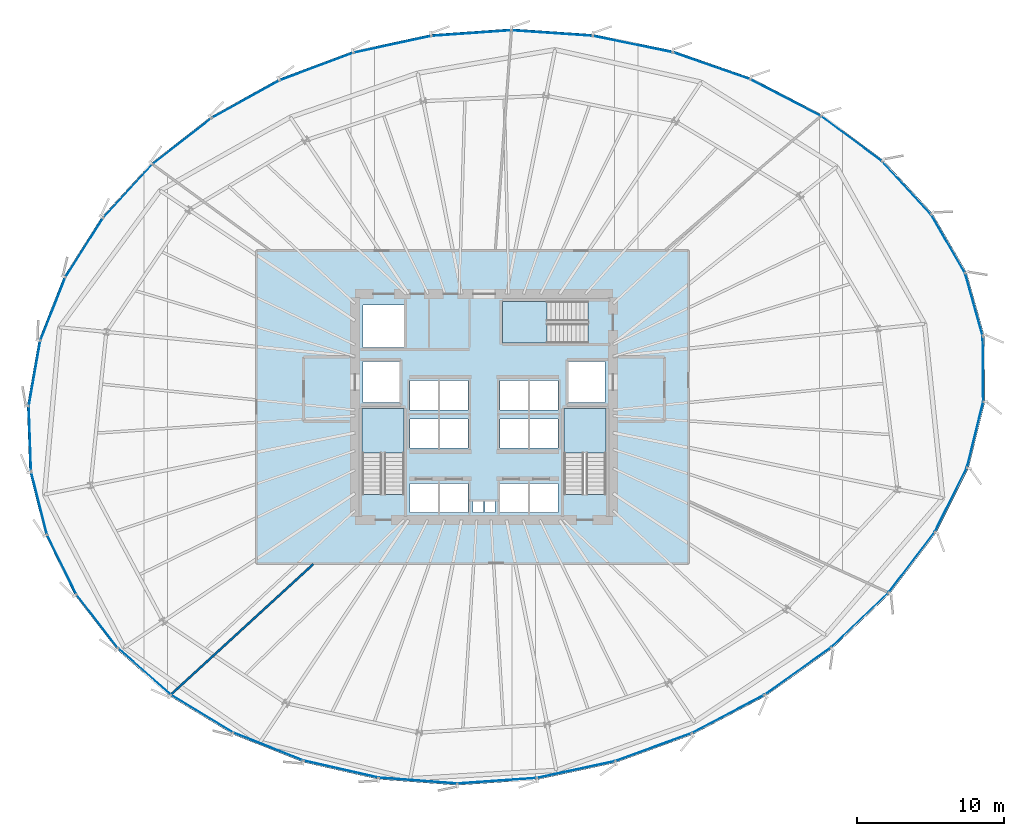
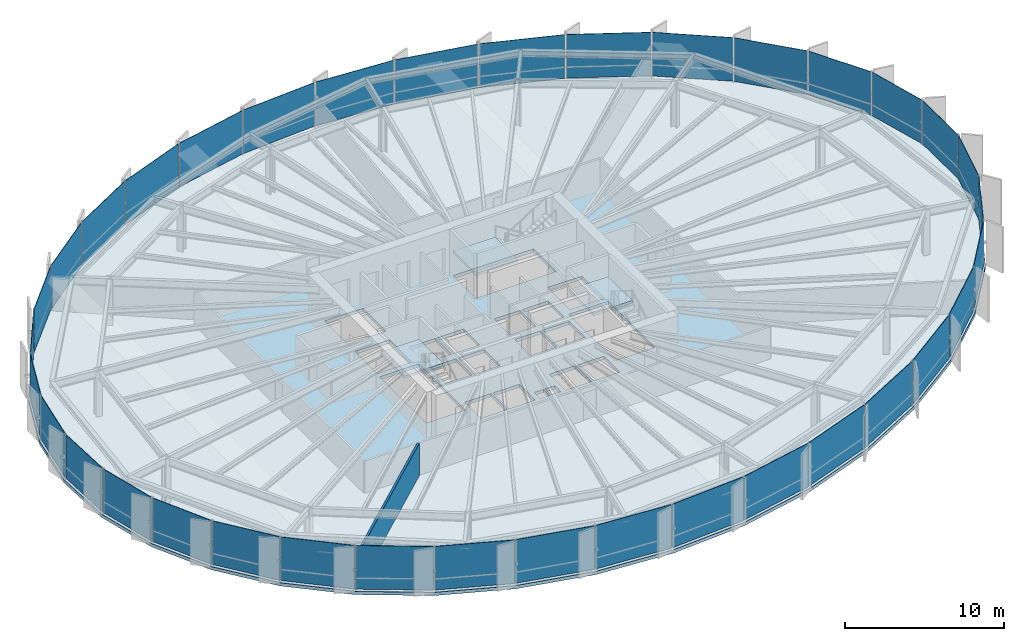
# One storey, part 30 of 38: 36 plates, 4 slabs, 1 wall, 9 elements without a shape of their own.
"""IFC4 building model written with IfcOpenShell, lengths in metres."""

from ifc_helpers import new_model, si_unit, direction, frame, frame_2d, origin, origin_2d, place, context, subcontext, project, spatial, polyline, rectangle, outline, extrude, source, transform, mapped, material, layer, layer_set, type_object, element, aggregate, save


model = new_model("IFC4")

# Units and contexts
model_context = context("Model", 3, precision=1e-05, world=origin(), true_north=direction((0.0, 1.0)))
body_context = subcontext(model_context, "Body", "Model", "MODEL_VIEW")
ifc_project = project(units=[si_unit("LENGTHUNIT", "METRE"), si_unit("AREAUNIT", "SQUARE_METRE"), si_unit("VOLUMEUNIT", "CUBIC_METRE"), si_unit("PLANEANGLEUNIT", "RADIAN"), si_unit("MASSUNIT", "GRAM", prefix="KILO"), si_unit("THERMODYNAMICTEMPERATUREUNIT", "KELVIN")], contexts=[model_context])

# Site, building, storey
site_placement = place(None, origin())
site = spatial("IfcSite", under=ifc_project, at=site_placement, CompositionType="ELEMENT")
building_placement = place(site_placement, origin())
building = spatial("IfcBuilding", under=site, at=building_placement, Name="Kethvar Cultural Tower", CompositionType="ELEMENT")
storey_placement = place(building_placement, frame((0.0, 0.0, 63.800048828125)))
storey = spatial("IfcBuildingStorey", under=building, at=storey_placement, Name="L15", CompositionType="ELEMENT", Elevation=63.800048828125)

# Stair, slab
ifc_material_1 = material(Name="Concrete C40/50", Category="concrete")
stair_type = type_object("IfcStairType", Name="ST-DOGLEG-135", PredefinedType="HALF_TURN_STAIR", material=ifc_material_1)
stair_1_placement = place(storey_placement, origin())
stair_1 = element("IfcStair", 1, at=stair_1_placement, inside=storey, type_object=stair_type, Name="L15 Core Exit Stair 1", PredefinedType="HALF_TURN_STAIR")
ifc_layer_1 = layer(ifc_material_1, 0.199951171875, Name="Concrete C40/50", Category="concrete")
ifc_layer_set_1 = layer_set([ifc_layer_1], Name="Concrete C40/50 (200 mm)")
slab_type_1 = type_object("IfcSlabType", Name="SL-STAIR-LANDING-200", PredefinedType="LANDING", material=ifc_layer_set_1)
slab_1_placement = place(storey_placement, frame((0.0, 0.0, 1.699951171875)))
slab_1 = element("IfcSlab", 2, at=slab_1_placement, type_object=slab_type_1, Name="ST-01 landing 1", PredefinedType="LANDING", context=body_context, shape_type="SweptSolid", body=[
    extrude(outline(polyline([(41.35009765625, 24.64990234375), (41.35009765625, 27.699951171875), (38.489990234375, 27.699951171875), (38.489990234375, 24.64990234375), (41.35009765625, 24.64990234375)])), origin(), (0.0, 0.0, 1.0), 0.199951171875),
])
aggregate(stair_1, [slab_1])

stair_2_placement = place(storey_placement, origin())
stair_2 = element("IfcStair", 3, at=stair_2_placement, inside=storey, type_object=stair_type, Name="L15 Core Exit Stair 2", PredefinedType="HALF_TURN_STAIR")
slab_2_placement = place(storey_placement, frame((0.0, 0.0, 1.699951171875)))
slab_2 = element("IfcSlab", 4, at=slab_2_placement, type_object=slab_type_1, Name="ST-02 landing 1", PredefinedType="LANDING", context=body_context, shape_type="SweptSolid", body=[
    extrude(outline(polyline([(55.110107421875, 24.64990234375), (55.110107421875, 27.699951171875), (52.25, 27.699951171875), (52.25, 24.64990234375), (55.110107421875, 24.64990234375)])), origin(), (0.0, 0.0, 1.0), 0.199951171875),
])
aggregate(stair_2, [slab_2])

stair_3_placement = place(storey_placement, origin())
stair_3 = element("IfcStair", 5, at=stair_3_placement, inside=storey, type_object=stair_type, Name="L15 Core Exit Stair 3", PredefinedType="HALF_TURN_STAIR")
slab_3_placement = place(storey_placement, frame((0.0, 0.0, 1.699951171875)))
slab_3 = element("IfcSlab", 6, at=slab_3_placement, type_object=slab_type_1, Name="ST-03 landing 1", PredefinedType="LANDING", context=body_context, shape_type="SweptSolid", body=[
    extrude(outline(polyline([(51.10009765625, 35.010009765625), (48.050048828125, 35.010009765625), (48.050048828125, 32.14990234375), (51.10009765625, 32.14990234375), (51.10009765625, 35.010009765625)])), origin(), (0.0, 0.0, 1.0), 0.199951171875),
])
aggregate(stair_3, [slab_3])

# Slab
ifc_layer_2 = layer(ifc_material_1, 0.25, Name="Concrete C40/50", Category="concrete")
ifc_layer_set_2 = layer_set([ifc_layer_2], Name="Concrete C40/50 (250 mm)")
slab_type_2 = type_object("IfcSlabType", Name="SL-TOW-250", PredefinedType="FLOOR", material=ifc_layer_set_2)
slab_4_placement = place(storey_placement, frame((0.0, 0.0, -0.25)))
element("IfcSlab", 7, at=slab_4_placement, inside=storey, type_object=slab_type_2, Name="L15 Structural Floor Slab", PredefinedType="FLOOR", context=body_context, shape_type="SweptSolid", body=[
    extrude(outline(polyline([(80.9208984375, 32.656005859375), (79.70458984375, 36.985595703125), (77.364990234375, 41.0185546875), (74.016845703125, 44.638427734375), (69.825927734375, 47.744384765625), (64.989990234375, 50.252197265625), (59.719970703125, 52.094482421875), (54.2177734375, 53.2216796875), (48.66064453125, 53.6005859375), (43.182861328125, 53.21484375), (37.8544921875, 52.0625), (32.797607421875, 50.173095703125), (28.166259765625, 47.603759765625), (24.101318359375, 44.432861328125), (20.725830078125, 40.75634765625), (18.142578125, 36.686279296875), (16.43017578125, 32.34619140625), (15.640380859375, 27.867919921875), (15.797607421875, 23.3876953125), (16.896728515625, 19.04150390625), (18.904296875, 14.96142578125), (21.759765625, 11.271484375), (25.375732421875, 8.08349609375), (29.642822265625, 5.494873046875), (34.431396484375, 3.583984375), (39.595458984375, 2.40869140625), (44.978515625, 2.0048828125), (50.4169921875, 2.385009765625), (55.784912109375, 3.54296875), (61.015625, 5.457275390625), (65.985107421875, 8.07470703125), (70.53173828125, 11.314208984375), (74.475830078125, 15.071533203125), (77.634033203125, 19.223388671875), (79.839111328125, 23.6337890625), (80.9609375, 28.1591796875), (80.9208984375, 32.656005859375)]), holes=[polyline([(38.489990234375, 21.85009765625), (38.489990234375, 27.699951171875), (41.35009765625, 27.699951171875), (41.35009765625, 21.85009765625), (38.489990234375, 21.85009765625)]), polyline([(52.25, 21.85009765625), (52.25, 27.699951171875), (55.110107421875, 27.699951171875), (55.110107421875, 21.85009765625), (52.25, 21.85009765625)]), polyline([(53.89990234375, 32.14990234375), (48.050048828125, 32.14990234375), (48.050048828125, 35.010009765625), (53.89990234375, 35.010009765625), (53.89990234375, 32.14990234375)]), polyline([(41.75, 22.60009765625), (43.64990234375, 22.60009765625), (43.64990234375, 20.60009765625), (41.75, 20.60009765625), (41.75, 22.60009765625)]), polyline([(43.800048828125, 22.60009765625), (45.699951171875, 22.60009765625), (45.699951171875, 20.60009765625), (43.800048828125, 20.60009765625), (43.800048828125, 22.60009765625)]), polyline([(47.89990234375, 22.60009765625), (49.800048828125, 22.60009765625), (49.800048828125, 20.60009765625), (47.89990234375, 20.60009765625), (47.89990234375, 22.60009765625)]), polyline([(49.949951171875, 22.60009765625), (51.85009765625, 22.60009765625), (51.85009765625, 20.60009765625), (49.949951171875, 20.60009765625), (49.949951171875, 22.60009765625)]), polyline([(41.75, 27.0), (43.64990234375, 27.0), (43.64990234375, 25.0), (41.75, 25.0), (41.75, 27.0)]), polyline([(43.800048828125, 27.0), (45.699951171875, 27.0), (45.699951171875, 25.0), (43.800048828125, 25.0), (43.800048828125, 27.0)]), polyline([(47.89990234375, 27.0), (49.800048828125, 27.0), (49.800048828125, 25.0), (47.89990234375, 25.0), (47.89990234375, 27.0)]), polyline([(49.949951171875, 27.0), (51.85009765625, 27.0), (51.85009765625, 25.0), (49.949951171875, 25.0), (49.949951171875, 27.0)]), polyline([(41.75, 29.60009765625), (43.64990234375, 29.60009765625), (43.64990234375, 27.60009765625), (41.75, 27.60009765625), (41.75, 29.60009765625)]), polyline([(43.800048828125, 29.60009765625), (45.699951171875, 29.60009765625), (45.699951171875, 27.60009765625), (43.800048828125, 27.60009765625), (43.800048828125, 29.60009765625)]), polyline([(47.89990234375, 29.60009765625), (49.800048828125, 29.60009765625), (49.800048828125, 27.60009765625), (47.89990234375, 27.60009765625), (47.89990234375, 29.60009765625)]), polyline([(49.949951171875, 29.60009765625), (51.85009765625, 29.60009765625), (51.85009765625, 27.60009765625), (49.949951171875, 27.60009765625), (49.949951171875, 29.60009765625)]), polyline([(38.550048828125, 30.89990234375), (41.050048828125, 30.89990234375), (41.050048828125, 28.10009765625), (38.550048828125, 28.10009765625), (38.550048828125, 30.89990234375)]), polyline([(52.550048828125, 30.89990234375), (55.050048828125, 30.89990234375), (55.050048828125, 28.10009765625), (52.550048828125, 28.10009765625), (52.550048828125, 30.89990234375)]), polyline([(38.550048828125, 34.75), (41.35009765625, 34.75), (41.35009765625, 31.85009765625), (38.550048828125, 31.85009765625), (38.550048828125, 34.75)]), polyline([(46.050048828125, 21.35009765625), (46.75, 21.35009765625), (46.75, 20.60009765625), (46.050048828125, 20.60009765625), (46.050048828125, 21.35009765625)]), polyline([(46.85009765625, 21.35009765625), (47.550048828125, 21.35009765625), (47.550048828125, 20.60009765625), (46.85009765625, 20.60009765625), (46.85009765625, 21.35009765625)])]), origin(), (0.0, 0.0, 1.0), 0.25),
])

# Curtain wall, plate
ifc_material_2 = material(Name="Aluminium 6063-T6", Category="aluminium")
ifc_layer_3 = layer(ifc_material_2, 0.179931640625, Name="Aluminium 6063-T6", Category="aluminium")
ifc_layer_set_3 = layer_set([ifc_layer_3], Name="Aluminium 6063-T6 (180 mm)")
curtain_wall_type = type_object("IfcCurtainWallType", Name="CW-SYS-02-Z1", PredefinedType="NOTDEFINED", material=ifc_layer_set_3)
curtain_wall_1_placement = place(storey_placement, origin())
curtain_wall_1 = element("IfcCurtainWall", 8, at=curtain_wall_1_placement, inside=storey, type_object=curtain_wall_type, Name="L15 Curtain Wall Run 01", PredefinedType="NOTDEFINED")
ifc_material_3 = material(Name="Insulated Low-E Solar Glass", Category="glass")
ifc_layer_4 = layer(ifc_material_3, 0.031982421875, Name="Insulated Low-E Solar Glass", Category="glass")
ifc_layer_set_4 = layer_set([ifc_layer_4], Name="Insulated Low-E Solar Glass (32 mm)")
plate_type = type_object("IfcPlateType", Name="CW-SYS-02-Z1-PNL", PredefinedType="CURTAIN_PANEL", material=ifc_layer_set_4)
shared_shape_1 = source(origin(), body_context, "Body", "SweptSolid", [
    extrude(rectangle(XDim=4.403564453125, YDim=0.031982421875, at=origin_2d()), origin(), (0.0, 0.0, 1.0), 3.35009765625),
])
plate_1_placement = place(storey_placement, frame((80.197265625, 34.788330078125, 0.099853515625), z_axis=(0.0, 0.0, 1.0), x_axis=(-0.270432420449, 0.962738960451, 0.0)))
plate_1 = element("IfcPlate", 9, at=plate_1_placement, type_object=plate_type, Name="CW-L15-R01 Vision Glazing Panel 1", PredefinedType="CURTAIN_PANEL", context=body_context, shape_type="MappedRepresentation", body=[
    mapped(shared_shape_1, transform((0.0, 0.0, 0.0), scale=1.0)),
])

curtain_wall_2_placement = place(storey_placement, origin())
curtain_wall_2 = element("IfcCurtainWall", 10, at=curtain_wall_2_placement, inside=storey, type_object=curtain_wall_type, Name="L15 Curtain Wall Run 06", PredefinedType="NOTDEFINED")
plate_2_placement = place(storey_placement, frame((80.82080078125, 30.406494140625, 0.099853515625), z_axis=(0.0, 0.0, 1.0), x_axis=(-0.008901061644, 0.999960384766, 0.0)))
plate_2 = element("IfcPlate", 11, at=plate_2_placement, type_object=plate_type, Name="CW-L15-R06 Vision Glazing Panel 6", PredefinedType="CURTAIN_PANEL", context=body_context, shape_type="MappedRepresentation", body=[
    mapped(shared_shape_1, transform((0.0, 0.0, 0.0), scale=1.0)),
])

# Plate
shared_shape_2 = source(origin(), body_context, "Body", "SweptSolid", [
    extrude(rectangle(XDim=4.568603515625, YDim=0.031982421875, at=origin_2d()), origin(), (0.0, 0.0, 1.0), 3.35009765625),
])
plate_3_placement = place(storey_placement, frame((78.430908203125, 38.94189453125, 0.099853515625), z_axis=(0.0, 0.0, 1.0), x_axis=(-0.501827798024, 0.864967549178, 0.0)))
plate_3 = element("IfcPlate", 12, at=plate_3_placement, type_object=plate_type, Name="CW-L15-R01 Vision Glazing Panel 2", PredefinedType="CURTAIN_PANEL", context=body_context, shape_type="MappedRepresentation", body=[
    mapped(shared_shape_2, transform((0.0, 0.0, 0.0), scale=1.0)),
])

shared_shape_3 = source(origin(), body_context, "Body", "SweptSolid", [
    extrude(rectangle(XDim=4.837158203125, YDim=0.031982421875, at=origin_2d()), origin(), (0.0, 0.0, 1.0), 3.35009765625),
])
plate_4_placement = place(storey_placement, frame((75.602783203125, 42.7470703125, 0.099853515625), z_axis=(0.0, 0.0, 1.0), x_axis=(-0.679005780592, 0.734132923879, 0.0)))
plate_4 = element("IfcPlate", 13, at=plate_4_placement, type_object=plate_type, Name="CW-L15-R01 Vision Glazing Panel 3", PredefinedType="CURTAIN_PANEL", context=body_context, shape_type="MappedRepresentation", body=[
    mapped(shared_shape_3, transform((0.0, 0.0, 0.0), scale=1.0)),
])

plate_5_placement = place(storey_placement, frame((78.629150390625, 21.482421875, 0.099853515625), z_axis=(0.0, 0.0, 1.0), x_axis=(0.447228407228, 0.894419784983, 0.0)))
plate_5 = element("IfcPlate", 14, at=plate_5_placement, type_object=plate_type, Name="CW-L15-R06 Vision Glazing Panel 4", PredefinedType="CURTAIN_PANEL", context=body_context, shape_type="MappedRepresentation", body=[
    mapped(shared_shape_3, transform((0.0, 0.0, 0.0), scale=1.0)),
])

shared_shape_4 = source(origin(), body_context, "Body", "SweptSolid", [
    extrude(rectangle(XDim=5.122802734375, YDim=0.031982421875, at=origin_2d()), origin(), (0.0, 0.0, 1.0), 3.35009765625),
])
plate_6_placement = place(storey_placement, frame((71.849853515625, 46.094970703125, 0.099853515625), z_axis=(0.0, 0.0, 1.0), x_axis=(-0.803410224786, 0.595425906986, 0.0)))
plate_6 = element("IfcPlate", 15, at=plate_6_placement, type_object=plate_type, Name="CW-L15-R01 Vision Glazing Panel 4", PredefinedType="CURTAIN_PANEL", context=body_context, shape_type="MappedRepresentation", body=[
    mapped(shared_shape_4, transform((0.0, 0.0, 0.0), scale=1.0)),
])

plate_7_placement = place(storey_placement, frame((75.95947265625, 17.22021484375, 0.099853515625), z_axis=(0.0, 0.0, 1.0), x_axis=(0.605405124989, 0.795917479791, 0.0)))
plate_7 = element("IfcPlate", 16, at=plate_7_placement, type_object=plate_type, Name="CW-L15-R06 Vision Glazing Panel 3", PredefinedType="CURTAIN_PANEL", context=body_context, shape_type="MappedRepresentation", body=[
    mapped(shared_shape_4, transform((0.0, 0.0, 0.0), scale=1.0)),
])

shared_shape_5 = source(origin(), body_context, "Body", "SweptSolid", [
    extrude(rectangle(XDim=5.353759765625, YDim=0.031982421875, at=origin_2d()), origin(), (0.0, 0.0, 1.0), 3.35009765625),
])
plate_8_placement = place(storey_placement, frame((67.352783203125, 48.891845703125, 0.099853515625), z_axis=(0.0, 0.0, 1.0), x_axis=(-0.887727016759, 0.460370224619, 0.0)))
plate_8 = element("IfcPlate", 17, at=plate_8_placement, type_object=plate_type, Name="CW-L15-R01 Vision Glazing Panel 5", PredefinedType="CURTAIN_PANEL", context=body_context, shape_type="MappedRepresentation", body=[
    mapped(shared_shape_5, transform((0.0, 0.0, 0.0), scale=1.0)),
])

plate_9_placement = place(storey_placement, frame((72.421142578125, 13.27978515625, 0.099853515625), z_axis=(0.0, 0.0, 1.0), x_axis=(0.724039450644, 0.689758562042, 0.0)))
plate_9 = element("IfcPlate", 18, at=plate_9_placement, type_object=plate_type, Name="CW-L15-R06 Vision Glazing Panel 2", PredefinedType="CURTAIN_PANEL", context=body_context, shape_type="MappedRepresentation", body=[
    mapped(shared_shape_5, transform((0.0, 0.0, 0.0), scale=1.0)),
])

shared_shape_6 = source(origin(), body_context, "Body", "SweptSolid", [
    extrude(rectangle(XDim=5.4892578125, YDim=0.031982421875, at=origin_2d()), origin(), (0.0, 0.0, 1.0), 3.35009765625),
])
plate_10_placement = place(storey_placement, frame((62.3154296875, 51.060302734375, 0.099853515625), z_axis=(0.0, 0.0, 1.0), x_axis=(-0.943979638927, 0.330003698904, 0.0)))
plate_10 = element("IfcPlate", 19, at=plate_10_placement, type_object=plate_type, Name="CW-L15-R01 Vision Glazing Panel 6", PredefinedType="CURTAIN_PANEL", context=body_context, shape_type="MappedRepresentation", body=[
    mapped(shared_shape_6, transform((0.0, 0.0, 0.0), scale=1.0)),
])

aggregate(curtain_wall_1, [plate_1, plate_3, plate_4, plate_6, plate_8, plate_10])

plate_11_placement = place(storey_placement, frame((68.188720703125, 9.7919921875, 0.099853515625), z_axis=(0.0, 0.0, 1.0), x_axis=(0.814419462102, 0.58027660624, 0.0)))
plate_11 = element("IfcPlate", 20, at=plate_11_placement, type_object=plate_type, Name="CW-L15-R06 Vision Glazing Panel 1", PredefinedType="CURTAIN_PANEL", context=body_context, shape_type="MappedRepresentation", body=[
    mapped(shared_shape_6, transform((0.0, 0.0, 0.0), scale=1.0)),
])

# Curtain wall, plates
curtain_wall_3_placement = place(storey_placement, origin())
curtain_wall_3 = element("IfcCurtainWall", 21, at=curtain_wall_3_placement, inside=storey, type_object=curtain_wall_type, Name="L15 Curtain Wall Run 02", PredefinedType="NOTDEFINED")
shared_shape_7 = source(origin(), body_context, "Body", "SweptSolid", [
    extrude(rectangle(XDim=5.522705078125, YDim=0.031982421875, at=origin_2d()), origin(), (0.0, 0.0, 1.0), 3.35009765625),
])
plate_12_placement = place(storey_placement, frame((56.94482421875, 52.54052734375, 0.099853515625), z_axis=(0.0, 0.0, 1.0), x_axis=(-0.979655888522, 0.200684678248, 0.0)))
plate_12 = element("IfcPlate", 22, at=plate_12_placement, type_object=plate_type, Name="CW-L15-R02 Vision Glazing Panel 1", PredefinedType="CURTAIN_PANEL", context=body_context, shape_type="MappedRepresentation", body=[
    mapped(shared_shape_7, transform((0.0, 0.0, 0.0), scale=1.0)),
])
shared_shape_8 = source(origin(), body_context, "Body", "SweptSolid", [
    extrude(rectangle(XDim=5.4765625, YDim=0.031982421875, at=origin_2d()), origin(), (0.0, 0.0, 1.0), 3.35009765625),
])
plate_13_placement = place(storey_placement, frame((51.430908203125, 53.29150390625, 0.099853515625), z_axis=(0.0, 0.0, 1.0), x_axis=(-0.997684278836, 0.068015290665, 0.0)))
plate_13 = element("IfcPlate", 23, at=plate_13_placement, type_object=plate_type, Name="CW-L15-R02 Vision Glazing Panel 2", PredefinedType="CURTAIN_PANEL", context=body_context, shape_type="MappedRepresentation", body=[
    mapped(shared_shape_8, transform((0.0, 0.0, 0.0), scale=1.0)),
])

# Curtain wall, plate
curtain_wall_4_placement = place(storey_placement, origin())
curtain_wall_4 = element("IfcCurtainWall", 24, at=curtain_wall_4_placement, inside=storey, type_object=curtain_wall_type, Name="L15 Curtain Wall Run 05", PredefinedType="NOTDEFINED")
plate_14_placement = place(storey_placement, frame((58.35888671875, 4.61279296875, 0.099853515625), z_axis=(0.0, 0.0, 1.0), x_axis=(0.939088253959, 0.34367608482, 0.0)))
plate_14 = element("IfcPlate", 25, at=plate_14_placement, type_object=plate_type, Name="CW-L15-R05 Vision Glazing Panel 5", PredefinedType="CURTAIN_PANEL", context=body_context, shape_type="MappedRepresentation", body=[
    mapped(shared_shape_8, transform((0.0, 0.0, 0.0), scale=1.0)),
])

# Plate
shared_shape_9 = source(origin(), body_context, "Body", "SweptSolid", [
    extrude(rectangle(XDim=5.397705078125, YDim=0.031982421875, at=origin_2d()), origin(), (0.0, 0.0, 1.0), 3.35009765625),
])
plate_15_placement = place(storey_placement, frame((45.93017578125, 53.2880859375, 0.099853515625), z_axis=(0.0, 0.0, 1.0), x_axis=(-0.997529841698, -0.070243967156, 0.0)))
plate_15 = element("IfcPlate", 26, at=plate_15_placement, type_object=plate_type, Name="CW-L15-R02 Vision Glazing Panel 3", PredefinedType="CURTAIN_PANEL", context=body_context, shape_type="MappedRepresentation", body=[
    mapped(shared_shape_9, transform((0.0, 0.0, 0.0), scale=1.0)),
])

plate_16_placement = place(storey_placement, frame((53.07568359375, 3.081298828125, 0.099853515625), z_axis=(0.0, 0.0, 1.0), x_axis=(0.977519050346, 0.210847115726, 0.0)))
plate_16 = element("IfcPlate", 27, at=plate_16_placement, type_object=plate_type, Name="CW-L15-R05 Vision Glazing Panel 4", PredefinedType="CURTAIN_PANEL", context=body_context, shape_type="MappedRepresentation", body=[
    mapped(shared_shape_9, transform((0.0, 0.0, 0.0), scale=1.0)),
])

shared_shape_10 = source(origin(), body_context, "Body", "SweptSolid", [
    extrude(rectangle(XDim=5.358154296875, YDim=0.031982421875, at=origin_2d()), origin(), (0.0, 0.0, 1.0), 3.35009765625),
])
plate_17_placement = place(storey_placement, frame((40.5439453125, 52.521484375, 0.099853515625), z_axis=(0.0, 0.0, 1.0), x_axis=(-0.977408517064, -0.211358914578, 0.0)))
plate_17 = element("IfcPlate", 28, at=plate_17_placement, type_object=plate_type, Name="CW-L15-R02 Vision Glazing Panel 4", PredefinedType="CURTAIN_PANEL", context=body_context, shape_type="MappedRepresentation", body=[
    mapped(shared_shape_10, transform((0.0, 0.0, 0.0), scale=1.0)),
])

plate_18_placement = place(storey_placement, frame((47.689453125, 2.314697265625, 0.099853515625), z_axis=(0.0, 0.0, 1.0), x_axis=(0.997566484612, 0.069721652147, 0.0)))
plate_18 = element("IfcPlate", 29, at=plate_18_placement, type_object=plate_type, Name="CW-L15-R05 Vision Glazing Panel 3", PredefinedType="CURTAIN_PANEL", context=body_context, shape_type="MappedRepresentation", body=[
    mapped(shared_shape_10, transform((0.0, 0.0, 0.0), scale=1.0)),
])

shared_shape_11 = source(origin(), body_context, "Body", "SweptSolid", [
    extrude(rectangle(XDim=5.3046875, YDim=0.031982421875, at=origin_2d()), origin(), (0.0, 0.0, 1.0), 3.35009765625),
])
plate_19_placement = place(storey_placement, frame((35.367919921875, 51.00537109375, 0.099853515625), z_axis=(0.0, 0.0, 1.0), x_axis=(-0.936745515967, -0.350011197415, 0.0)))
plate_19 = element("IfcPlate", 30, at=plate_19_placement, type_object=plate_type, Name="CW-L15-R02 Vision Glazing Panel 5", PredefinedType="CURTAIN_PANEL", context=body_context, shape_type="MappedRepresentation", body=[
    mapped(shared_shape_11, transform((0.0, 0.0, 0.0), scale=1.0)),
])

plate_20_placement = place(storey_placement, frame((42.2958984375, 2.32666015625, 0.099853515625), z_axis=(0.0, 0.0, 1.0), x_axis=(0.99719951003, -0.074787279644, 0.0)))
plate_20 = element("IfcPlate", 31, at=plate_20_placement, type_object=plate_type, Name="CW-L15-R05 Vision Glazing Panel 2", PredefinedType="CURTAIN_PANEL", context=body_context, shape_type="MappedRepresentation", body=[
    mapped(shared_shape_11, transform((0.0, 0.0, 0.0), scale=1.0)),
])

shared_shape_12 = source(origin(), body_context, "Body", "SweptSolid", [
    extrude(rectangle(XDim=5.20263671875, YDim=0.031982421875, at=origin_2d()), origin(), (0.0, 0.0, 1.0), 3.35009765625),
])
plate_21_placement = place(storey_placement, frame((30.540283203125, 48.783447265625, 0.099853515625), z_axis=(0.0, 0.0, 1.0), x_axis=(-0.874450423376, -0.485114890576, 0.0)))
plate_21 = element("IfcPlate", 32, at=plate_21_placement, type_object=plate_type, Name="CW-L15-R02 Vision Glazing Panel 6", PredefinedType="CURTAIN_PANEL", context=body_context, shape_type="MappedRepresentation", body=[
    mapped(shared_shape_12, transform((0.0, 0.0, 0.0), scale=1.0)),
])

aggregate(curtain_wall_3, [plate_12, plate_13, plate_15, plate_17, plate_19, plate_21])

plate_22_placement = place(storey_placement, frame((37.0400390625, 3.11328125, 0.099853515625), z_axis=(0.0, 0.0, 1.0), x_axis=(0.975071959883, -0.221888875454, 0.0)))
plate_22 = element("IfcPlate", 33, at=plate_22_placement, type_object=plate_type, Name="CW-L15-R05 Vision Glazing Panel 1", PredefinedType="CURTAIN_PANEL", context=body_context, shape_type="MappedRepresentation", body=[
    mapped(shared_shape_12, transform((0.0, 0.0, 0.0), scale=1.0)),
])

# Curtain wall, plate
curtain_wall_5_placement = place(storey_placement, origin())
curtain_wall_5 = element("IfcCurtainWall", 34, at=curtain_wall_5_placement, inside=storey, type_object=curtain_wall_type, Name="L15 Curtain Wall Run 03", PredefinedType="NOTDEFINED")
shared_shape_13 = source(origin(), body_context, "Body", "SweptSolid", [
    extrude(rectangle(XDim=5.06201171875, YDim=0.031982421875, at=origin_2d()), origin(), (0.0, 0.0, 1.0), 3.35009765625),
])
plate_23_placement = place(storey_placement, frame((26.20751953125, 45.923583984375, 0.099853515625), z_axis=(0.0, 0.0, 1.0), x_axis=(-0.788483315272, -0.615056145029, 0.0)))
plate_23 = element("IfcPlate", 35, at=plate_23_placement, type_object=plate_type, Name="CW-L15-R03 Vision Glazing Panel 1", PredefinedType="CURTAIN_PANEL", context=body_context, shape_type="MappedRepresentation", body=[
    mapped(shared_shape_13, transform((0.0, 0.0, 0.0), scale=1.0)),
])

curtain_wall_6_placement = place(storey_placement, origin())
curtain_wall_6 = element("IfcCurtainWall", 36, at=curtain_wall_6_placement, inside=storey, type_object=curtain_wall_type, Name="L15 Curtain Wall Run 04", PredefinedType="NOTDEFINED")
plate_24_placement = place(storey_placement, frame((32.08154296875, 4.65087890625, 0.099853515625), z_axis=(0.0, 0.0, 1.0), x_axis=(0.928770743095, -0.370654700187, 0.0)))
plate_24 = element("IfcPlate", 37, at=plate_24_placement, type_object=plate_type, Name="CW-L15-R04 Vision Glazing Panel 6", PredefinedType="CURTAIN_PANEL", context=body_context, shape_type="MappedRepresentation", body=[
    mapped(shared_shape_13, transform((0.0, 0.0, 0.0), scale=1.0)),
])

# Plate
shared_shape_14 = source(origin(), body_context, "Body", "SweptSolid", [
    extrude(rectangle(XDim=4.8974609375, YDim=0.031982421875, at=origin_2d()), origin(), (0.0, 0.0, 1.0), 3.35009765625),
])
plate_25_placement = place(storey_placement, frame((22.501953125, 42.513427734375, 0.099853515625), z_axis=(0.0, 0.0, 1.0), x_axis=(-0.676310488166, -0.736616673445, 0.0)))
plate_25 = element("IfcPlate", 38, at=plate_25_placement, type_object=plate_type, Name="CW-L15-R03 Vision Glazing Panel 2", PredefinedType="CURTAIN_PANEL", context=body_context, shape_type="MappedRepresentation", body=[
    mapped(shared_shape_14, transform((0.0, 0.0, 0.0), scale=1.0)),
])

shared_shape_15 = source(origin(), body_context, "Body", "SweptSolid", [
    extrude(rectangle(XDim=4.72705078125, YDim=0.031982421875, at=origin_2d()), origin(), (0.0, 0.0, 1.0), 3.35009765625),
])
plate_26_placement = place(storey_placement, frame((19.535400390625, 38.656982421875, 0.099853515625), z_axis=(0.0, 0.0, 1.0), x_axis=(-0.535856267257, -0.844309221104, 0.0)))
plate_26 = element("IfcPlate", 39, at=plate_26_placement, type_object=plate_type, Name="CW-L15-R03 Vision Glazing Panel 3", PredefinedType="CURTAIN_PANEL", context=body_context, shape_type="MappedRepresentation", body=[
    mapped(shared_shape_15, transform((0.0, 0.0, 0.0), scale=1.0)),
])

shared_shape_16 = source(origin(), body_context, "Body", "SweptSolid", [
    extrude(rectangle(XDim=4.572021484375, YDim=0.031982421875, at=origin_2d()), origin(), (0.0, 0.0, 1.0), 3.35009765625),
])
plate_27_placement = place(storey_placement, frame((17.39794921875, 34.47216796875, 0.099853515625), z_axis=(0.0, 0.0, 1.0), x_axis=(-0.367020812736, -0.930212729981, 0.0)))
plate_27 = element("IfcPlate", 40, at=plate_27_placement, type_object=plate_type, Name="CW-L15-R03 Vision Glazing Panel 4", PredefinedType="CURTAIN_PANEL", context=body_context, shape_type="MappedRepresentation", body=[
    mapped(shared_shape_16, transform((0.0, 0.0, 0.0), scale=1.0)),
])

plate_28_placement = place(storey_placement, frame((20.427001953125, 13.189697265625, 0.099853515625), z_axis=(0.0, 0.0, 1.0), x_axis=(0.611968847371, -0.790881868453, 0.0)))
plate_28 = element("IfcPlate", 41, at=plate_28_placement, type_object=plate_type, Name="CW-L15-R04 Vision Glazing Panel 3", PredefinedType="CURTAIN_PANEL", context=body_context, shape_type="MappedRepresentation", body=[
    mapped(shared_shape_16, transform((0.0, 0.0, 0.0), scale=1.0)),
])

shared_shape_17 = source(origin(), body_context, "Body", "SweptSolid", [
    extrude(rectangle(XDim=4.453857421875, YDim=0.031982421875, at=origin_2d()), origin(), (0.0, 0.0, 1.0), 3.35009765625),
])
plate_29_placement = place(storey_placement, frame((16.153564453125, 30.086181640625, 0.099853515625), z_axis=(0.0, 0.0, 1.0), x_axis=(-0.173665365778, -0.98480472213, 0.0)))
plate_29 = element("IfcPlate", 42, at=plate_29_placement, type_object=plate_type, Name="CW-L15-R03 Vision Glazing Panel 5", PredefinedType="CURTAIN_PANEL", context=body_context, shape_type="MappedRepresentation", body=[
    mapped(shared_shape_17, transform((0.0, 0.0, 0.0), scale=1.0)),
])

shared_shape_18 = source(origin(), body_context, "Body", "SweptSolid", [
    extrude(rectangle(XDim=4.389404296875, YDim=0.031982421875, at=origin_2d()), origin(), (0.0, 0.0, 1.0), 3.35009765625),
])
plate_30_placement = place(storey_placement, frame((15.839111328125, 25.632080078125, 0.099853515625), z_axis=(0.0, 0.0, 1.0), x_axis=(0.035039037645, -0.999385944388, 0.0)))
plate_30 = element("IfcPlate", 43, at=plate_30_placement, type_object=plate_type, Name="CW-L15-R03 Vision Glazing Panel 6", PredefinedType="CURTAIN_PANEL", context=body_context, shape_type="MappedRepresentation", body=[
    mapped(shared_shape_18, transform((0.0, 0.0, 0.0), scale=1.0)),
])

aggregate(curtain_wall_5, [plate_23, plate_25, plate_26, plate_27, plate_29, plate_30])

plate_31_placement = place(storey_placement, frame((16.46337890625, 21.243896484375, 0.099853515625), z_axis=(0.0, 0.0, 1.0), x_axis=(0.245172023382, -0.969479591818, 0.0)))
plate_31 = element("IfcPlate", 44, at=plate_31_placement, type_object=plate_type, Name="CW-L15-R04 Vision Glazing Panel 1", PredefinedType="CURTAIN_PANEL", context=body_context, shape_type="MappedRepresentation", body=[
    mapped(shared_shape_18, transform((0.0, 0.0, 0.0), scale=1.0)),
])

shared_shape_19 = source(origin(), body_context, "Body", "SweptSolid", [
    extrude(rectangle(XDim=4.45361328125, YDim=0.031982421875, at=origin_2d()), origin(), (0.0, 0.0, 1.0), 3.35009765625),
])
plate_32_placement = place(storey_placement, frame((18.00830078125, 17.054443359375, 0.099853515625), z_axis=(0.0, 0.0, 1.0), x_axis=(0.441505852792, -0.897258369674, 0.0)))
plate_32 = element("IfcPlate", 45, at=plate_32_placement, type_object=plate_type, Name="CW-L15-R04 Vision Glazing Panel 2", PredefinedType="CURTAIN_PANEL", context=body_context, shape_type="MappedRepresentation", body=[
    mapped(shared_shape_19, transform((0.0, 0.0, 0.0), scale=1.0)),
])

shared_shape_20 = source(origin(), body_context, "Body", "SweptSolid", [
    extrude(rectangle(XDim=4.726806640625, YDim=0.031982421875, at=origin_2d()), origin(), (0.0, 0.0, 1.0), 3.35009765625),
])
plate_33_placement = place(storey_placement, frame((23.647216796875, 9.767578125, 0.099853515625), z_axis=(0.0, 0.0, 1.0), x_axis=(0.750134153312, -0.661285681105, 0.0)))
plate_33 = element("IfcPlate", 46, at=plate_33_placement, type_object=plate_type, Name="CW-L15-R04 Vision Glazing Panel 4", PredefinedType="CURTAIN_PANEL", context=body_context, shape_type="MappedRepresentation", body=[
    mapped(shared_shape_20, transform((0.0, 0.0, 0.0), scale=1.0)),
])

shared_shape_21 = source(origin(), body_context, "Body", "SweptSolid", [
    extrude(rectangle(XDim=4.897216796875, YDim=0.031982421875, at=origin_2d()), origin(), (0.0, 0.0, 1.0), 3.35009765625),
])
plate_34_placement = place(storey_placement, frame((27.571533203125, 6.891845703125, 0.099853515625), z_axis=(0.0, 0.0, 1.0), x_axis=(0.854966191794, -0.518683729154, 0.0)))
plate_34 = element("IfcPlate", 47, at=plate_34_placement, type_object=plate_type, Name="CW-L15-R04 Vision Glazing Panel 5", PredefinedType="CURTAIN_PANEL", context=body_context, shape_type="MappedRepresentation", body=[
    mapped(shared_shape_21, transform((0.0, 0.0, 0.0), scale=1.0)),
])

aggregate(curtain_wall_6, [plate_31, plate_32, plate_28, plate_33, plate_34, plate_24])

shared_shape_22 = source(origin(), body_context, "Body", "SweptSolid", [
    extrude(rectangle(XDim=5.52294921875, YDim=0.031982421875, at=origin_2d()), origin(), (0.0, 0.0, 1.0), 3.35009765625),
])
plate_35_placement = place(storey_placement, frame((63.4443359375, 6.8720703125, 0.099853515625), z_axis=(0.0, 0.0, 1.0), x_axis=(0.884776257184, 0.466016067022, 0.0)))
plate_35 = element("IfcPlate", 48, at=plate_35_placement, type_object=plate_type, Name="CW-L15-R05 Vision Glazing Panel 6", PredefinedType="CURTAIN_PANEL", context=body_context, shape_type="MappedRepresentation", body=[
    mapped(shared_shape_22, transform((0.0, 0.0, 0.0), scale=1.0)),
])

aggregate(curtain_wall_4, [plate_22, plate_20, plate_18, plate_16, plate_14, plate_35])

shared_shape_23 = source(origin(), body_context, "Body", "SweptSolid", [
    extrude(rectangle(XDim=4.56884765625, YDim=0.031982421875, at=origin_2d()), origin(), (0.0, 0.0, 1.0), 3.35009765625),
])
plate_36_placement = place(storey_placement, frame((80.28369140625, 25.92529296875, 0.099853515625), z_axis=(0.0, 0.0, 1.0), x_axis=(0.240583812506, 0.970628368203, 0.0)))
plate_36 = element("IfcPlate", 49, at=plate_36_placement, type_object=plate_type, Name="CW-L15-R06 Vision Glazing Panel 5", PredefinedType="CURTAIN_PANEL", context=body_context, shape_type="MappedRepresentation", body=[
    mapped(shared_shape_23, transform((0.0, 0.0, 0.0), scale=1.0)),
])

aggregate(curtain_wall_2, [plate_11, plate_9, plate_7, plate_5, plate_36, plate_2])

# Wall
ifc_material_4 = material(Name="Gypsum Acoustic Partition")
ifc_layer_5 = layer(ifc_material_4, 0.14990234375, Name="Gypsum Acoustic Partition")
ifc_layer_set_5 = layer_set([ifc_layer_5], Name="Gypsum Acoustic Partition (150 mm)")
wall_type = type_object("IfcWallType", Name="WL-PART-150", PredefinedType="PARTITIONING", material=ifc_layer_set_5)
wall_placement = place(storey_placement, frame((35.15771484375, 17.0859375, 0.0), z_axis=(0.0, 0.0, 1.0), x_axis=(-0.737527023473, -0.675317621306, 0.0)))
element("IfcWall", 50, at=wall_placement, inside=storey, type_object=wall_type, Name="L15 Radial Partition Wall 01", PredefinedType="PARTITIONING", context=body_context, shape_type="SweptSolid", body=[
    extrude(rectangle(XDim=13.068603515625, YDim=0.14990234375, at=frame_2d((6.5341796875, 0.0))), origin(), (0.0, 0.0, 1.0), 2.5048828125),
])

save(model, "model.ifc")
